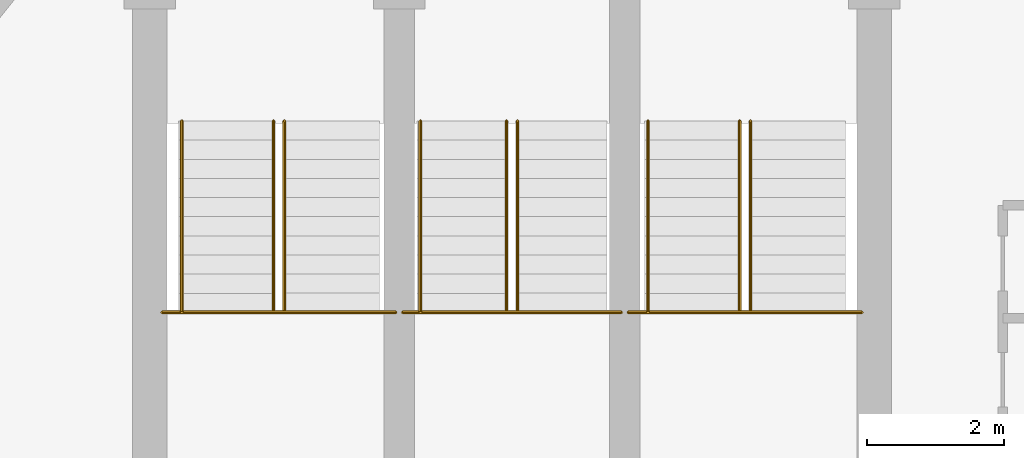
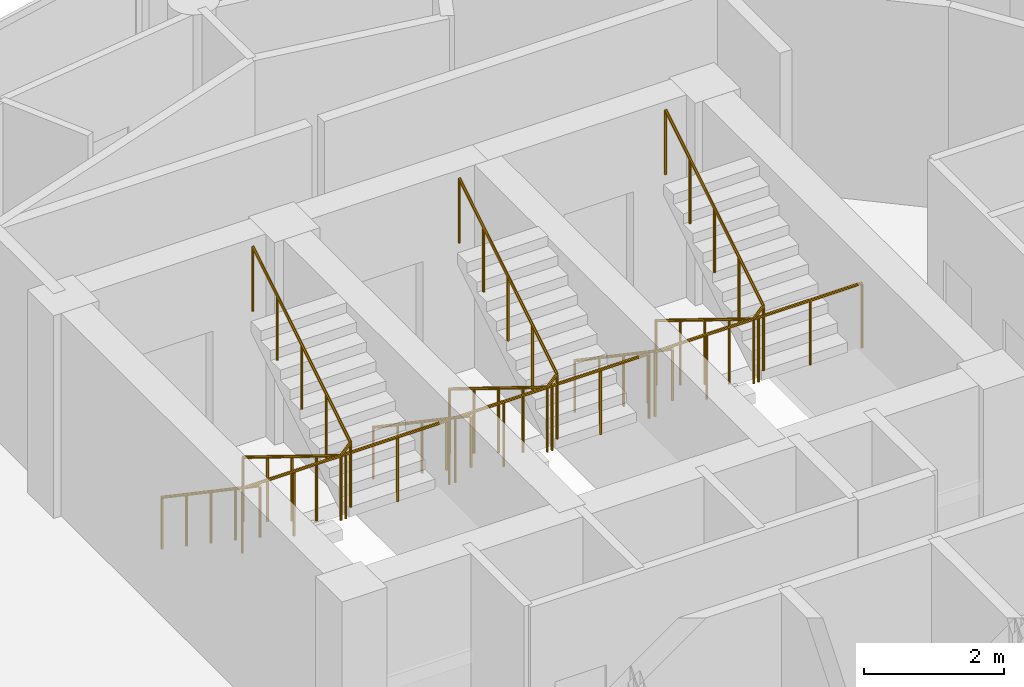
# One storey, part 24 of 24: 9 railings.
"""IFC4 building model written with IfcOpenShell, lengths in metres."""

from ifc_helpers import new_model, si_unit, direction, frame, origin, place, context, subcontext, project, spatial, polyline, outline, extrude, material, type_object, element, save


model = new_model("IFC4")

# Units and contexts
model_context = context("Model", 3, precision=1e-05, world=origin(), true_north=direction((0.0, 1.0)))
body_context = subcontext(model_context, "Body", "Model", "MODEL_VIEW")
ifc_project = project(units=[si_unit("LENGTHUNIT", "METRE"), si_unit("AREAUNIT", "SQUARE_METRE"), si_unit("VOLUMEUNIT", "CUBIC_METRE"), si_unit("PLANEANGLEUNIT", "RADIAN"), si_unit("MASSUNIT", "GRAM", prefix="KILO")], contexts=[model_context])

# Site, building, storey
site_placement = place(None, origin())
site = spatial("IfcSite", under=ifc_project, at=site_placement, CompositionType="ELEMENT")
building_placement = place(site_placement, origin())
building = spatial("IfcBuilding", under=site, at=building_placement, Name="Nuhasar Tower", CompositionType="ELEMENT")
storey_placement = place(building_placement, frame((0.0, 0.0, 289.800048828125)))
storey = spatial("IfcBuildingStorey", under=building, at=storey_placement, Name="L72", CompositionType="ELEMENT", Elevation=289.800048828125)

# Railings
ifc_material_1 = material(Name="Steel S355", Category="steel")
railing_type_1 = type_object("IfcRailingType", Name="RLG-STAIR-GUARD-1150", PredefinedType="GUARDRAIL", material=ifc_material_1)
railing_1_placement = place(storey_placement, frame((33.8798828125, 32.485107421875, 1.89990234375)))
element("IfcRailing", 1, at=railing_1_placement, inside=storey, type_object=railing_type_1, Name="L72 Stair ST-01 Guardrail LND", PredefinedType="GUARDRAIL", context=body_context, shape_type="SweptSolid", body=[
    extrude(outline(polyline([(0.024169921875, 0.0), (0.01708984375, 0.01708984375), (0.0, 0.024169921875), (-0.01708984375, 0.01708984375), (-0.024169921875, 0.0), (-0.01708984375, -0.01708984375), (0.0, -0.024169921875), (0.01708984375, -0.01708984375), (0.024169921875, 0.0)])), frame((0.0, 0.0, 1.1259765625), z_axis=(1.0, 0.0, 0.0), x_axis=(0.0, 1.0, 0.0)), (0.0, 0.0, 1.0), 3.420166015625),
    extrude(outline(polyline([(0.02099609375, 0.0), (0.014892578125, 0.014892578125), (0.0, 0.02099609375), (-0.014892578125, 0.014892578125), (-0.02099609375, 0.0), (-0.014892578125, -0.014892578125), (0.0, -0.02099609375), (0.014892578125, -0.014892578125), (0.02099609375, 0.0)])), origin(), (0.0, 0.0, 1.0), 1.101806640625),
    extrude(outline(polyline([(0.02099609375, 0.0), (0.014892578125, 0.014892578125), (0.0, 0.02099609375), (-0.014892578125, 0.014892578125), (-0.02099609375, 0.0), (-0.014892578125, -0.014892578125), (0.0, -0.02099609375), (0.014892578125, -0.014892578125), (0.02099609375, 0.0)])), frame((0.85498046875, 0.0, 0.0)), (0.0, 0.0, 1.0), 1.101806640625),
    extrude(outline(polyline([(0.02099609375, 0.0), (0.014892578125, 0.014892578125), (0.0, 0.02099609375), (-0.014892578125, 0.014892578125), (-0.02099609375, 0.0), (-0.014892578125, -0.014892578125), (0.0, -0.02099609375), (0.014892578125, -0.014892578125), (0.02099609375, 0.0)])), frame((1.7099609375, 0.0, 0.0)), (0.0, 0.0, 1.0), 1.101806640625),
    extrude(outline(polyline([(0.02099609375, 0.0), (0.014892578125, 0.014892578125), (0.0, 0.02099609375), (-0.014892578125, 0.014892578125), (-0.02099609375, 0.0), (-0.014892578125, -0.014892578125), (0.0, -0.02099609375), (0.014892578125, -0.014892578125), (0.02099609375, 0.0)])), frame((2.565185546875, 0.0, 0.0)), (0.0, 0.0, 1.0), 1.101806640625),
    extrude(outline(polyline([(0.02099609375, 0.0), (0.014892578125, 0.014892578125), (0.0, 0.02099609375), (-0.014892578125, 0.014892578125), (-0.02099609375, 0.0), (-0.014892578125, -0.014892578125), (0.0, -0.02099609375), (0.014892578125, -0.014892578125), (0.02099609375, 0.0)])), frame((3.420166015625, 0.0, 0.0)), (0.0, 0.0, 1.0), 1.101806640625),
])
railing_2_placement = place(storey_placement, frame((35.510009765625, 35.284912109375, 0.1728515625)))
element("IfcRailing", 2, at=railing_2_placement, inside=storey, type_object=railing_type_1, Name="L72 Stair ST-01 Guardrail SLT", PredefinedType="GUARDRAIL", context=body_context, shape_type="SweptSolid", body=[
    extrude(outline(polyline([(0.024169921875, 0.0), (0.01708984375, 0.01708984375), (0.0, 0.024169921875), (-0.01708984375, 0.01708984375), (-0.024169921875, 0.0), (-0.01708984375, -0.01708984375), (0.0, -0.024169921875), (0.01708984375, -0.01708984375), (0.024169921875, 0.0)])), frame((0.0, 0.0, 1.1259765625), z_axis=(0.0, -0.851102337555, 0.524999820009), x_axis=(1.0, 0.0, 0.0)), (0.0, 0.0, 1.0), 3.28955078125),
    extrude(outline(polyline([(0.024169921875, 0.0), (0.01708984375, 0.01708984375), (0.0, 0.024169921875), (-0.01708984375, 0.01708984375), (-0.024169921875, 0.0), (-0.01708984375, -0.01708984375), (0.0, -0.024169921875), (0.01708984375, -0.01708984375), (0.024169921875, 0.0)])), frame((0.0, -2.7998046875, 2.85302734375), z_axis=(0.678581247581, 0.0, 0.734525350435), x_axis=(0.0, 1.0, 0.0)), (0.0, 0.0, 1.0), 0.235595703125),
    extrude(outline(polyline([(0.024169921875, 0.0), (0.01708984375, 0.01708984375), (0.0, 0.024169921875), (-0.01708984375, 0.01708984375), (-0.024169921875, 0.0), (-0.01708984375, -0.01708984375), (0.0, -0.024169921875), (0.01708984375, -0.01708984375), (0.024169921875, 0.0)])), frame((0.159912109375, -2.7998046875, 3.02587890625), z_axis=(0.0, 0.851102337555, 0.524999820009), x_axis=(-1.0, 0.0, 0.0)), (0.0, 0.0, 1.0), 3.28955078125),
    extrude(outline(polyline([(0.02099609375, 0.0), (0.014892578125, 0.014892578125), (0.0, 0.02099609375), (-0.014892578125, 0.014892578125), (-0.02099609375, 0.0), (-0.014892578125, -0.014892578125), (0.0, -0.02099609375), (0.014892578125, -0.014892578125), (0.02099609375, 0.0)])), origin(), (0.0, 0.0, 1.0), 1.101806640625),
    extrude(outline(polyline([(0.02099609375, 0.0), (0.014892578125, 0.014892578125), (0.0, 0.02099609375), (-0.014892578125, 0.014892578125), (-0.02099609375, 0.0), (-0.014892578125, -0.014892578125), (0.0, -0.02099609375), (0.014892578125, -0.014892578125), (0.02099609375, 0.0)])), frame((0.0, -0.699951171875, 0.431640625)), (0.0, 0.0, 1.0), 1.101806640625),
    extrude(outline(polyline([(0.02099609375, 0.0), (0.014892578125, 0.014892578125), (0.0, 0.02099609375), (-0.014892578125, 0.014892578125), (-0.02099609375, 0.0), (-0.014892578125, -0.014892578125), (0.0, -0.02099609375), (0.014892578125, -0.014892578125), (0.02099609375, 0.0)])), frame((0.0, -1.39990234375, 0.863525390625)), (0.0, 0.0, 1.0), 1.101806640625),
    extrude(outline(polyline([(0.02099609375, 0.0), (0.014892578125, 0.014892578125), (0.0, 0.02099609375), (-0.014892578125, 0.014892578125), (-0.02099609375, 0.0), (-0.014892578125, -0.014892578125), (0.0, -0.02099609375), (0.014892578125, -0.014892578125), (0.02099609375, 0.0)])), frame((0.0, -2.099853515625, 1.29541015625)), (0.0, 0.0, 1.0), 1.101806640625),
    extrude(outline(polyline([(0.02099609375, 0.0), (0.014892578125, 0.014892578125), (0.0, 0.02099609375), (-0.014892578125, 0.014892578125), (-0.02099609375, 0.0), (-0.014892578125, -0.014892578125), (0.0, -0.02099609375), (0.014892578125, -0.014892578125), (0.02099609375, 0.0)])), frame((0.0, -2.7998046875, 1.72705078125)), (0.0, 0.0, 1.0), 1.101806640625),
    extrude(outline(polyline([(0.02099609375, 0.0), (0.014892578125, 0.014892578125), (0.0, 0.02099609375), (-0.014892578125, 0.014892578125), (-0.02099609375, 0.0), (-0.014892578125, -0.014892578125), (0.0, -0.02099609375), (0.014892578125, -0.014892578125), (0.02099609375, 0.0)])), frame((0.159912109375, -2.7998046875, 1.900146484375)), (0.0, 0.0, 1.0), 1.101806640625),
    extrude(outline(polyline([(0.02099609375, 0.0), (0.014892578125, 0.014892578125), (0.0, 0.02099609375), (-0.014892578125, 0.014892578125), (-0.02099609375, 0.0), (-0.014892578125, -0.014892578125), (0.0, -0.02099609375), (0.014892578125, -0.014892578125), (0.02099609375, 0.0)])), frame((0.159912109375, -2.099853515625, 2.33203125)), (0.0, 0.0, 1.0), 1.101806640625),
    extrude(outline(polyline([(0.02099609375, 0.0), (0.014892578125, 0.014892578125), (0.0, 0.02099609375), (-0.014892578125, 0.014892578125), (-0.02099609375, 0.0), (-0.014892578125, -0.014892578125), (0.0, -0.02099609375), (0.014892578125, -0.014892578125), (0.02099609375, 0.0)])), frame((0.159912109375, -1.39990234375, 2.763671875)), (0.0, 0.0, 1.0), 1.101806640625),
    extrude(outline(polyline([(0.02099609375, 0.0), (0.014892578125, 0.014892578125), (0.0, 0.02099609375), (-0.014892578125, 0.014892578125), (-0.02099609375, 0.0), (-0.014892578125, -0.014892578125), (0.0, -0.02099609375), (0.014892578125, -0.014892578125), (0.02099609375, 0.0)])), frame((0.159912109375, -0.699951171875, 3.1953125)), (0.0, 0.0, 1.0), 1.101806640625),
    extrude(outline(polyline([(0.02099609375, 0.0), (0.014892578125, 0.014892578125), (0.0, 0.02099609375), (-0.014892578125, 0.014892578125), (-0.02099609375, 0.0), (-0.014892578125, -0.014892578125), (0.0, -0.02099609375), (0.014892578125, -0.014892578125), (0.02099609375, 0.0)])), frame((0.159912109375, 0.0, 3.627197265625)), (0.0, 0.0, 1.0), 1.101806640625),
])
railing_3_placement = place(storey_placement, frame((37.39990234375, 32.485107421875, 1.89990234375)))
element("IfcRailing", 3, at=railing_3_placement, inside=storey, type_object=railing_type_1, Name="L72 Stair ST-03 Guardrail LND", PredefinedType="GUARDRAIL", context=body_context, shape_type="SweptSolid", body=[
    extrude(outline(polyline([(0.024169921875, 0.0), (0.01708984375, 0.01708984375), (0.0, 0.024169921875), (-0.01708984375, 0.01708984375), (-0.024169921875, 0.0), (-0.01708984375, -0.01708984375), (0.0, -0.024169921875), (0.01708984375, -0.01708984375), (0.024169921875, 0.0)])), frame((0.0, 0.0, 1.1259765625), z_axis=(1.0, 0.0, 0.0), x_axis=(0.0, 1.0, 0.0)), (0.0, 0.0, 1.0), 3.2001953125),
    extrude(outline(polyline([(0.02099609375, 0.0), (0.014892578125, 0.014892578125), (0.0, 0.02099609375), (-0.014892578125, 0.014892578125), (-0.02099609375, 0.0), (-0.014892578125, -0.014892578125), (0.0, -0.02099609375), (0.014892578125, -0.014892578125), (0.02099609375, 0.0)])), origin(), (0.0, 0.0, 1.0), 1.101806640625),
    extrude(outline(polyline([(0.02099609375, 0.0), (0.014892578125, 0.014892578125), (0.0, 0.02099609375), (-0.014892578125, 0.014892578125), (-0.02099609375, 0.0), (-0.014892578125, -0.014892578125), (0.0, -0.02099609375), (0.014892578125, -0.014892578125), (0.02099609375, 0.0)])), frame((0.800048828125, 0.0, 0.0)), (0.0, 0.0, 1.0), 1.101806640625),
    extrude(outline(polyline([(0.02099609375, 0.0), (0.014892578125, 0.014892578125), (0.0, 0.02099609375), (-0.014892578125, 0.014892578125), (-0.02099609375, 0.0), (-0.014892578125, -0.014892578125), (0.0, -0.02099609375), (0.014892578125, -0.014892578125), (0.02099609375, 0.0)])), frame((1.60009765625, 0.0, 0.0)), (0.0, 0.0, 1.0), 1.101806640625),
    extrude(outline(polyline([(0.02099609375, 0.0), (0.014892578125, 0.014892578125), (0.0, 0.02099609375), (-0.014892578125, 0.014892578125), (-0.02099609375, 0.0), (-0.014892578125, -0.014892578125), (0.0, -0.02099609375), (0.014892578125, -0.014892578125), (0.02099609375, 0.0)])), frame((2.400146484375, 0.0, 0.0)), (0.0, 0.0, 1.0), 1.101806640625),
    extrude(outline(polyline([(0.02099609375, 0.0), (0.014892578125, 0.014892578125), (0.0, 0.02099609375), (-0.014892578125, 0.014892578125), (-0.02099609375, 0.0), (-0.014892578125, -0.014892578125), (0.0, -0.02099609375), (0.014892578125, -0.014892578125), (0.02099609375, 0.0)])), frame((3.2001953125, 0.0, 0.0)), (0.0, 0.0, 1.0), 1.101806640625),
])
railing_4_placement = place(storey_placement, frame((38.919921875, 35.284912109375, 0.1728515625)))
element("IfcRailing", 4, at=railing_4_placement, inside=storey, type_object=railing_type_1, Name="L72 Stair ST-03 Guardrail SLT", PredefinedType="GUARDRAIL", context=body_context, shape_type="SweptSolid", body=[
    extrude(outline(polyline([(0.024169921875, 0.0), (0.01708984375, 0.01708984375), (0.0, 0.024169921875), (-0.01708984375, 0.01708984375), (-0.024169921875, 0.0), (-0.01708984375, -0.01708984375), (0.0, -0.024169921875), (0.01708984375, -0.01708984375), (0.024169921875, 0.0)])), frame((0.0, 0.0, 1.1259765625), z_axis=(0.0, -0.851102337555, 0.524999820009), x_axis=(1.0, 0.0, 0.0)), (0.0, 0.0, 1.0), 3.28955078125),
    extrude(outline(polyline([(0.024169921875, 0.0), (0.01708984375, 0.01708984375), (0.0, 0.024169921875), (-0.01708984375, 0.01708984375), (-0.024169921875, 0.0), (-0.01708984375, -0.01708984375), (0.0, -0.024169921875), (0.01708984375, -0.01708984375), (0.024169921875, 0.0)])), frame((0.0, -2.7998046875, 2.85302734375), z_axis=(0.679139610055, 0.0, 0.734009121234), x_axis=(0.0, 1.0, 0.0)), (0.0, 0.0, 1.0), 0.23583984375),
    extrude(outline(polyline([(0.024169921875, 0.0), (0.01708984375, 0.01708984375), (0.0, 0.024169921875), (-0.01708984375, 0.01708984375), (-0.024169921875, 0.0), (-0.01708984375, -0.01708984375), (0.0, -0.024169921875), (0.01708984375, -0.01708984375), (0.024169921875, 0.0)])), frame((0.16015625, -2.7998046875, 3.02587890625), z_axis=(0.0, 0.851102337555, 0.524999820009), x_axis=(-1.0, 0.0, 0.0)), (0.0, 0.0, 1.0), 3.28955078125),
    extrude(outline(polyline([(0.02099609375, 0.0), (0.014892578125, 0.014892578125), (0.0, 0.02099609375), (-0.014892578125, 0.014892578125), (-0.02099609375, 0.0), (-0.014892578125, -0.014892578125), (0.0, -0.02099609375), (0.014892578125, -0.014892578125), (0.02099609375, 0.0)])), origin(), (0.0, 0.0, 1.0), 1.101806640625),
    extrude(outline(polyline([(0.02099609375, 0.0), (0.014892578125, 0.014892578125), (0.0, 0.02099609375), (-0.014892578125, 0.014892578125), (-0.02099609375, 0.0), (-0.014892578125, -0.014892578125), (0.0, -0.02099609375), (0.014892578125, -0.014892578125), (0.02099609375, 0.0)])), frame((0.0, -0.699951171875, 0.431640625)), (0.0, 0.0, 1.0), 1.101806640625),
    extrude(outline(polyline([(0.02099609375, 0.0), (0.014892578125, 0.014892578125), (0.0, 0.02099609375), (-0.014892578125, 0.014892578125), (-0.02099609375, 0.0), (-0.014892578125, -0.014892578125), (0.0, -0.02099609375), (0.014892578125, -0.014892578125), (0.02099609375, 0.0)])), frame((0.0, -1.39990234375, 0.863525390625)), (0.0, 0.0, 1.0), 1.101806640625),
    extrude(outline(polyline([(0.02099609375, 0.0), (0.014892578125, 0.014892578125), (0.0, 0.02099609375), (-0.014892578125, 0.014892578125), (-0.02099609375, 0.0), (-0.014892578125, -0.014892578125), (0.0, -0.02099609375), (0.014892578125, -0.014892578125), (0.02099609375, 0.0)])), frame((0.0, -2.099853515625, 1.29541015625)), (0.0, 0.0, 1.0), 1.101806640625),
    extrude(outline(polyline([(0.02099609375, 0.0), (0.014892578125, 0.014892578125), (0.0, 0.02099609375), (-0.014892578125, 0.014892578125), (-0.02099609375, 0.0), (-0.014892578125, -0.014892578125), (0.0, -0.02099609375), (0.014892578125, -0.014892578125), (0.02099609375, 0.0)])), frame((0.0, -2.7998046875, 1.72705078125)), (0.0, 0.0, 1.0), 1.101806640625),
    extrude(outline(polyline([(0.02099609375, 0.0), (0.014892578125, 0.014892578125), (0.0, 0.02099609375), (-0.014892578125, 0.014892578125), (-0.02099609375, 0.0), (-0.014892578125, -0.014892578125), (0.0, -0.02099609375), (0.014892578125, -0.014892578125), (0.02099609375, 0.0)])), frame((0.16015625, -2.7998046875, 1.900146484375)), (0.0, 0.0, 1.0), 1.101806640625),
    extrude(outline(polyline([(0.02099609375, 0.0), (0.014892578125, 0.014892578125), (0.0, 0.02099609375), (-0.014892578125, 0.014892578125), (-0.02099609375, 0.0), (-0.014892578125, -0.014892578125), (0.0, -0.02099609375), (0.014892578125, -0.014892578125), (0.02099609375, 0.0)])), frame((0.16015625, -2.099853515625, 2.33203125)), (0.0, 0.0, 1.0), 1.101806640625),
    extrude(outline(polyline([(0.02099609375, 0.0), (0.014892578125, 0.014892578125), (0.0, 0.02099609375), (-0.014892578125, 0.014892578125), (-0.02099609375, 0.0), (-0.014892578125, -0.014892578125), (0.0, -0.02099609375), (0.014892578125, -0.014892578125), (0.02099609375, 0.0)])), frame((0.16015625, -1.39990234375, 2.763671875)), (0.0, 0.0, 1.0), 1.101806640625),
    extrude(outline(polyline([(0.02099609375, 0.0), (0.014892578125, 0.014892578125), (0.0, 0.02099609375), (-0.014892578125, 0.014892578125), (-0.02099609375, 0.0), (-0.014892578125, -0.014892578125), (0.0, -0.02099609375), (0.014892578125, -0.014892578125), (0.02099609375, 0.0)])), frame((0.16015625, -0.699951171875, 3.1953125)), (0.0, 0.0, 1.0), 1.101806640625),
    extrude(outline(polyline([(0.02099609375, 0.0), (0.014892578125, 0.014892578125), (0.0, 0.02099609375), (-0.014892578125, 0.014892578125), (-0.02099609375, 0.0), (-0.014892578125, -0.014892578125), (0.0, -0.02099609375), (0.014892578125, -0.014892578125), (0.02099609375, 0.0)])), frame((0.16015625, 0.0, 3.627197265625)), (0.0, 0.0, 1.0), 1.101806640625),
])
railing_5_placement = place(storey_placement, frame((40.699951171875, 32.485107421875, 1.89990234375)))
element("IfcRailing", 5, at=railing_5_placement, inside=storey, type_object=railing_type_1, Name="L72 Stair ST-02 Guardrail LND", PredefinedType="GUARDRAIL", context=body_context, shape_type="SweptSolid", body=[
    extrude(outline(polyline([(0.024169921875, 0.0), (0.01708984375, 0.01708984375), (0.0, 0.024169921875), (-0.01708984375, 0.01708984375), (-0.024169921875, 0.0), (-0.01708984375, -0.01708984375), (0.0, -0.024169921875), (0.01708984375, -0.01708984375), (0.024169921875, 0.0)])), frame((0.0, 0.0, 1.1259765625), z_axis=(1.0, 0.0, 0.0), x_axis=(0.0, 1.0, 0.0)), (0.0, 0.0, 1.0), 3.420166015625),
    extrude(outline(polyline([(0.02099609375, 0.0), (0.014892578125, 0.014892578125), (0.0, 0.02099609375), (-0.014892578125, 0.014892578125), (-0.02099609375, 0.0), (-0.014892578125, -0.014892578125), (0.0, -0.02099609375), (0.014892578125, -0.014892578125), (0.02099609375, 0.0)])), origin(), (0.0, 0.0, 1.0), 1.101806640625),
    extrude(outline(polyline([(0.02099609375, 0.0), (0.014892578125, 0.014892578125), (0.0, 0.02099609375), (-0.014892578125, 0.014892578125), (-0.02099609375, 0.0), (-0.014892578125, -0.014892578125), (0.0, -0.02099609375), (0.014892578125, -0.014892578125), (0.02099609375, 0.0)])), frame((0.85498046875, 0.0, 0.0)), (0.0, 0.0, 1.0), 1.101806640625),
    extrude(outline(polyline([(0.02099609375, 0.0), (0.014892578125, 0.014892578125), (0.0, 0.02099609375), (-0.014892578125, 0.014892578125), (-0.02099609375, 0.0), (-0.014892578125, -0.014892578125), (0.0, -0.02099609375), (0.014892578125, -0.014892578125), (0.02099609375, 0.0)])), frame((1.7099609375, 0.0, 0.0)), (0.0, 0.0, 1.0), 1.101806640625),
    extrude(outline(polyline([(0.02099609375, 0.0), (0.014892578125, 0.014892578125), (0.0, 0.02099609375), (-0.014892578125, 0.014892578125), (-0.02099609375, 0.0), (-0.014892578125, -0.014892578125), (0.0, -0.02099609375), (0.014892578125, -0.014892578125), (0.02099609375, 0.0)])), frame((2.565185546875, 0.0, 0.0)), (0.0, 0.0, 1.0), 1.101806640625),
    extrude(outline(polyline([(0.02099609375, 0.0), (0.014892578125, 0.014892578125), (0.0, 0.02099609375), (-0.014892578125, 0.014892578125), (-0.02099609375, 0.0), (-0.014892578125, -0.014892578125), (0.0, -0.02099609375), (0.014892578125, -0.014892578125), (0.02099609375, 0.0)])), frame((3.420166015625, 0.0, 0.0)), (0.0, 0.0, 1.0), 1.101806640625),
])
railing_6_placement = place(storey_placement, frame((42.330078125, 35.284912109375, 0.1728515625)))
element("IfcRailing", 6, at=railing_6_placement, inside=storey, type_object=railing_type_1, Name="L72 Stair ST-02 Guardrail SLT", PredefinedType="GUARDRAIL", context=body_context, shape_type="SweptSolid", body=[
    extrude(outline(polyline([(0.024169921875, 0.0), (0.01708984375, 0.01708984375), (0.0, 0.024169921875), (-0.01708984375, 0.01708984375), (-0.024169921875, 0.0), (-0.01708984375, -0.01708984375), (0.0, -0.024169921875), (0.01708984375, -0.01708984375), (0.024169921875, 0.0)])), frame((0.0, 0.0, 1.1259765625), z_axis=(0.0, -0.851102337555, 0.524999820009), x_axis=(1.0, 0.0, 0.0)), (0.0, 0.0, 1.0), 3.28955078125),
    extrude(outline(polyline([(0.024169921875, 0.0), (0.01708984375, 0.01708984375), (0.0, 0.024169921875), (-0.01708984375, 0.01708984375), (-0.024169921875, 0.0), (-0.01708984375, -0.01708984375), (0.0, -0.024169921875), (0.01708984375, -0.01708984375), (0.024169921875, 0.0)])), frame((0.0, -2.7998046875, 2.85302734375), z_axis=(0.678581247581, 0.0, 0.734525350435), x_axis=(0.0, 1.0, 0.0)), (0.0, 0.0, 1.0), 0.235595703125),
    extrude(outline(polyline([(0.024169921875, 0.0), (0.01708984375, 0.01708984375), (0.0, 0.024169921875), (-0.01708984375, 0.01708984375), (-0.024169921875, 0.0), (-0.01708984375, -0.01708984375), (0.0, -0.024169921875), (0.01708984375, -0.01708984375), (0.024169921875, 0.0)])), frame((0.159912109375, -2.7998046875, 3.02587890625), z_axis=(0.0, 0.851102337555, 0.524999820009), x_axis=(-1.0, 0.0, 0.0)), (0.0, 0.0, 1.0), 3.28955078125),
    extrude(outline(polyline([(0.02099609375, 0.0), (0.014892578125, 0.014892578125), (0.0, 0.02099609375), (-0.014892578125, 0.014892578125), (-0.02099609375, 0.0), (-0.014892578125, -0.014892578125), (0.0, -0.02099609375), (0.014892578125, -0.014892578125), (0.02099609375, 0.0)])), origin(), (0.0, 0.0, 1.0), 1.101806640625),
    extrude(outline(polyline([(0.02099609375, 0.0), (0.014892578125, 0.014892578125), (0.0, 0.02099609375), (-0.014892578125, 0.014892578125), (-0.02099609375, 0.0), (-0.014892578125, -0.014892578125), (0.0, -0.02099609375), (0.014892578125, -0.014892578125), (0.02099609375, 0.0)])), frame((0.0, -0.699951171875, 0.431640625)), (0.0, 0.0, 1.0), 1.101806640625),
    extrude(outline(polyline([(0.02099609375, 0.0), (0.014892578125, 0.014892578125), (0.0, 0.02099609375), (-0.014892578125, 0.014892578125), (-0.02099609375, 0.0), (-0.014892578125, -0.014892578125), (0.0, -0.02099609375), (0.014892578125, -0.014892578125), (0.02099609375, 0.0)])), frame((0.0, -1.39990234375, 0.863525390625)), (0.0, 0.0, 1.0), 1.101806640625),
    extrude(outline(polyline([(0.02099609375, 0.0), (0.014892578125, 0.014892578125), (0.0, 0.02099609375), (-0.014892578125, 0.014892578125), (-0.02099609375, 0.0), (-0.014892578125, -0.014892578125), (0.0, -0.02099609375), (0.014892578125, -0.014892578125), (0.02099609375, 0.0)])), frame((0.0, -2.099853515625, 1.29541015625)), (0.0, 0.0, 1.0), 1.101806640625),
    extrude(outline(polyline([(0.02099609375, 0.0), (0.014892578125, 0.014892578125), (0.0, 0.02099609375), (-0.014892578125, 0.014892578125), (-0.02099609375, 0.0), (-0.014892578125, -0.014892578125), (0.0, -0.02099609375), (0.014892578125, -0.014892578125), (0.02099609375, 0.0)])), frame((0.0, -2.7998046875, 1.72705078125)), (0.0, 0.0, 1.0), 1.101806640625),
    extrude(outline(polyline([(0.02099609375, 0.0), (0.014892578125, 0.014892578125), (0.0, 0.02099609375), (-0.014892578125, 0.014892578125), (-0.02099609375, 0.0), (-0.014892578125, -0.014892578125), (0.0, -0.02099609375), (0.014892578125, -0.014892578125), (0.02099609375, 0.0)])), frame((0.159912109375, -2.7998046875, 1.900146484375)), (0.0, 0.0, 1.0), 1.101806640625),
    extrude(outline(polyline([(0.02099609375, 0.0), (0.014892578125, 0.014892578125), (0.0, 0.02099609375), (-0.014892578125, 0.014892578125), (-0.02099609375, 0.0), (-0.014892578125, -0.014892578125), (0.0, -0.02099609375), (0.014892578125, -0.014892578125), (0.02099609375, 0.0)])), frame((0.159912109375, -2.099853515625, 2.33203125)), (0.0, 0.0, 1.0), 1.101806640625),
    extrude(outline(polyline([(0.02099609375, 0.0), (0.014892578125, 0.014892578125), (0.0, 0.02099609375), (-0.014892578125, 0.014892578125), (-0.02099609375, 0.0), (-0.014892578125, -0.014892578125), (0.0, -0.02099609375), (0.014892578125, -0.014892578125), (0.02099609375, 0.0)])), frame((0.159912109375, -1.39990234375, 2.763671875)), (0.0, 0.0, 1.0), 1.101806640625),
    extrude(outline(polyline([(0.02099609375, 0.0), (0.014892578125, 0.014892578125), (0.0, 0.02099609375), (-0.014892578125, 0.014892578125), (-0.02099609375, 0.0), (-0.014892578125, -0.014892578125), (0.0, -0.02099609375), (0.014892578125, -0.014892578125), (0.02099609375, 0.0)])), frame((0.159912109375, -0.699951171875, 3.1953125)), (0.0, 0.0, 1.0), 1.101806640625),
    extrude(outline(polyline([(0.02099609375, 0.0), (0.014892578125, 0.014892578125), (0.0, 0.02099609375), (-0.014892578125, 0.014892578125), (-0.02099609375, 0.0), (-0.014892578125, -0.014892578125), (0.0, -0.02099609375), (0.014892578125, -0.014892578125), (0.02099609375, 0.0)])), frame((0.159912109375, 0.0, 3.627197265625)), (0.0, 0.0, 1.0), 1.101806640625),
])
ifc_material_2 = material(Name="Stainless Steel 316L", Category="steel")
railing_type_2 = type_object("IfcRailingType", Name="RLG-STAIR-HAND-920", PredefinedType="HANDRAIL", material=ifc_material_2)
railing_7_placement = place(storey_placement, frame((34.169921875, 35.284912109375, 0.1728515625)))
element("IfcRailing", 7, at=railing_7_placement, inside=storey, type_object=railing_type_2, Name="L72 Stair ST-01 Handrail HND1", PredefinedType="HANDRAIL", context=body_context, shape_type="SweptSolid", body=[
    extrude(outline(polyline([(0.024169921875, 0.0), (0.01708984375, 0.01708984375), (0.0, 0.024169921875), (-0.01708984375, 0.01708984375), (-0.024169921875, 0.0), (-0.01708984375, -0.01708984375), (0.0, -0.024169921875), (0.01708984375, -0.01708984375), (0.024169921875, 0.0)])), frame((0.0, 0.0, 0.89599609375), z_axis=(0.0, -0.827437459516, 0.561557878219), x_axis=(1.0, 0.0, 0.0)), (0.0, 0.0, 1.0), 3.3837890625),
    extrude(outline(polyline([(0.02099609375, 0.0), (0.014892578125, 0.014892578125), (0.0, 0.02099609375), (-0.014892578125, 0.014892578125), (-0.02099609375, 0.0), (-0.014892578125, -0.014892578125), (0.0, -0.02099609375), (0.014892578125, -0.014892578125), (0.02099609375, 0.0)])), origin(), (0.0, 0.0, 1.0), 0.871826171875),
    extrude(outline(polyline([(0.02099609375, 0.0), (0.014892578125, 0.014892578125), (0.0, 0.02099609375), (-0.014892578125, 0.014892578125), (-0.02099609375, 0.0), (-0.014892578125, -0.014892578125), (0.0, -0.02099609375), (0.014892578125, -0.014892578125), (0.02099609375, 0.0)])), frame((0.0, -0.699951171875, 0.47509765625)), (0.0, 0.0, 1.0), 0.871826171875),
    extrude(outline(polyline([(0.02099609375, 0.0), (0.014892578125, 0.014892578125), (0.0, 0.02099609375), (-0.014892578125, 0.014892578125), (-0.02099609375, 0.0), (-0.014892578125, -0.014892578125), (0.0, -0.02099609375), (0.014892578125, -0.014892578125), (0.02099609375, 0.0)])), frame((0.0, -1.39990234375, 0.9501953125)), (0.0, 0.0, 1.0), 0.871826171875),
    extrude(outline(polyline([(0.02099609375, 0.0), (0.014892578125, 0.014892578125), (0.0, 0.02099609375), (-0.014892578125, 0.014892578125), (-0.02099609375, 0.0), (-0.014892578125, -0.014892578125), (0.0, -0.02099609375), (0.014892578125, -0.014892578125), (0.02099609375, 0.0)])), frame((0.0, -2.099853515625, 1.425048828125)), (0.0, 0.0, 1.0), 0.871826171875),
    extrude(outline(polyline([(0.02099609375, 0.0), (0.014892578125, 0.014892578125), (0.0, 0.02099609375), (-0.014892578125, 0.014892578125), (-0.02099609375, 0.0), (-0.014892578125, -0.014892578125), (0.0, -0.02099609375), (0.014892578125, -0.014892578125), (0.02099609375, 0.0)])), frame((0.0, -2.7998046875, 1.900146484375)), (0.0, 0.0, 1.0), 0.871826171875),
])
railing_8_placement = place(storey_placement, frame((37.659912109375, 35.284912109375, 0.1728515625)))
element("IfcRailing", 8, at=railing_8_placement, inside=storey, type_object=railing_type_2, Name="L72 Stair ST-03 Handrail HND1", PredefinedType="HANDRAIL", context=body_context, shape_type="SweptSolid", body=[
    extrude(outline(polyline([(0.024169921875, 0.0), (0.01708984375, 0.01708984375), (0.0, 0.024169921875), (-0.01708984375, 0.01708984375), (-0.024169921875, 0.0), (-0.01708984375, -0.01708984375), (0.0, -0.024169921875), (0.01708984375, -0.01708984375), (0.024169921875, 0.0)])), frame((0.0, 0.0, 0.89599609375), z_axis=(0.0, -0.827437459516, 0.561557878219), x_axis=(1.0, 0.0, 0.0)), (0.0, 0.0, 1.0), 3.3837890625),
    extrude(outline(polyline([(0.02099609375, 0.0), (0.014892578125, 0.014892578125), (0.0, 0.02099609375), (-0.014892578125, 0.014892578125), (-0.02099609375, 0.0), (-0.014892578125, -0.014892578125), (0.0, -0.02099609375), (0.014892578125, -0.014892578125), (0.02099609375, 0.0)])), origin(), (0.0, 0.0, 1.0), 0.871826171875),
    extrude(outline(polyline([(0.02099609375, 0.0), (0.014892578125, 0.014892578125), (0.0, 0.02099609375), (-0.014892578125, 0.014892578125), (-0.02099609375, 0.0), (-0.014892578125, -0.014892578125), (0.0, -0.02099609375), (0.014892578125, -0.014892578125), (0.02099609375, 0.0)])), frame((0.0, -0.699951171875, 0.47509765625)), (0.0, 0.0, 1.0), 0.871826171875),
    extrude(outline(polyline([(0.02099609375, 0.0), (0.014892578125, 0.014892578125), (0.0, 0.02099609375), (-0.014892578125, 0.014892578125), (-0.02099609375, 0.0), (-0.014892578125, -0.014892578125), (0.0, -0.02099609375), (0.014892578125, -0.014892578125), (0.02099609375, 0.0)])), frame((0.0, -1.39990234375, 0.9501953125)), (0.0, 0.0, 1.0), 0.871826171875),
    extrude(outline(polyline([(0.02099609375, 0.0), (0.014892578125, 0.014892578125), (0.0, 0.02099609375), (-0.014892578125, 0.014892578125), (-0.02099609375, 0.0), (-0.014892578125, -0.014892578125), (0.0, -0.02099609375), (0.014892578125, -0.014892578125), (0.02099609375, 0.0)])), frame((0.0, -2.099853515625, 1.425048828125)), (0.0, 0.0, 1.0), 0.871826171875),
    extrude(outline(polyline([(0.02099609375, 0.0), (0.014892578125, 0.014892578125), (0.0, 0.02099609375), (-0.014892578125, 0.014892578125), (-0.02099609375, 0.0), (-0.014892578125, -0.014892578125), (0.0, -0.02099609375), (0.014892578125, -0.014892578125), (0.02099609375, 0.0)])), frame((0.0, -2.7998046875, 1.900146484375)), (0.0, 0.0, 1.0), 0.871826171875),
])
railing_9_placement = place(storey_placement, frame((40.989990234375, 35.284912109375, 0.1728515625)))
element("IfcRailing", 9, at=railing_9_placement, inside=storey, type_object=railing_type_2, Name="L72 Stair ST-02 Handrail HND1", PredefinedType="HANDRAIL", context=body_context, shape_type="SweptSolid", body=[
    extrude(outline(polyline([(0.024169921875, 0.0), (0.01708984375, 0.01708984375), (0.0, 0.024169921875), (-0.01708984375, 0.01708984375), (-0.024169921875, 0.0), (-0.01708984375, -0.01708984375), (0.0, -0.024169921875), (0.01708984375, -0.01708984375), (0.024169921875, 0.0)])), frame((0.0, 0.0, 0.89599609375), z_axis=(0.0, -0.827437459516, 0.561557878219), x_axis=(1.0, 0.0, 0.0)), (0.0, 0.0, 1.0), 3.3837890625),
    extrude(outline(polyline([(0.02099609375, 0.0), (0.014892578125, 0.014892578125), (0.0, 0.02099609375), (-0.014892578125, 0.014892578125), (-0.02099609375, 0.0), (-0.014892578125, -0.014892578125), (0.0, -0.02099609375), (0.014892578125, -0.014892578125), (0.02099609375, 0.0)])), origin(), (0.0, 0.0, 1.0), 0.871826171875),
    extrude(outline(polyline([(0.02099609375, 0.0), (0.014892578125, 0.014892578125), (0.0, 0.02099609375), (-0.014892578125, 0.014892578125), (-0.02099609375, 0.0), (-0.014892578125, -0.014892578125), (0.0, -0.02099609375), (0.014892578125, -0.014892578125), (0.02099609375, 0.0)])), frame((0.0, -0.699951171875, 0.47509765625)), (0.0, 0.0, 1.0), 0.871826171875),
    extrude(outline(polyline([(0.02099609375, 0.0), (0.014892578125, 0.014892578125), (0.0, 0.02099609375), (-0.014892578125, 0.014892578125), (-0.02099609375, 0.0), (-0.014892578125, -0.014892578125), (0.0, -0.02099609375), (0.014892578125, -0.014892578125), (0.02099609375, 0.0)])), frame((0.0, -1.39990234375, 0.9501953125)), (0.0, 0.0, 1.0), 0.871826171875),
    extrude(outline(polyline([(0.02099609375, 0.0), (0.014892578125, 0.014892578125), (0.0, 0.02099609375), (-0.014892578125, 0.014892578125), (-0.02099609375, 0.0), (-0.014892578125, -0.014892578125), (0.0, -0.02099609375), (0.014892578125, -0.014892578125), (0.02099609375, 0.0)])), frame((0.0, -2.099853515625, 1.425048828125)), (0.0, 0.0, 1.0), 0.871826171875),
    extrude(outline(polyline([(0.02099609375, 0.0), (0.014892578125, 0.014892578125), (0.0, 0.02099609375), (-0.014892578125, 0.014892578125), (-0.02099609375, 0.0), (-0.014892578125, -0.014892578125), (0.0, -0.02099609375), (0.014892578125, -0.014892578125), (0.02099609375, 0.0)])), frame((0.0, -2.7998046875, 1.900146484375)), (0.0, 0.0, 1.0), 0.871826171875),
])

save(model, "model.ifc")
